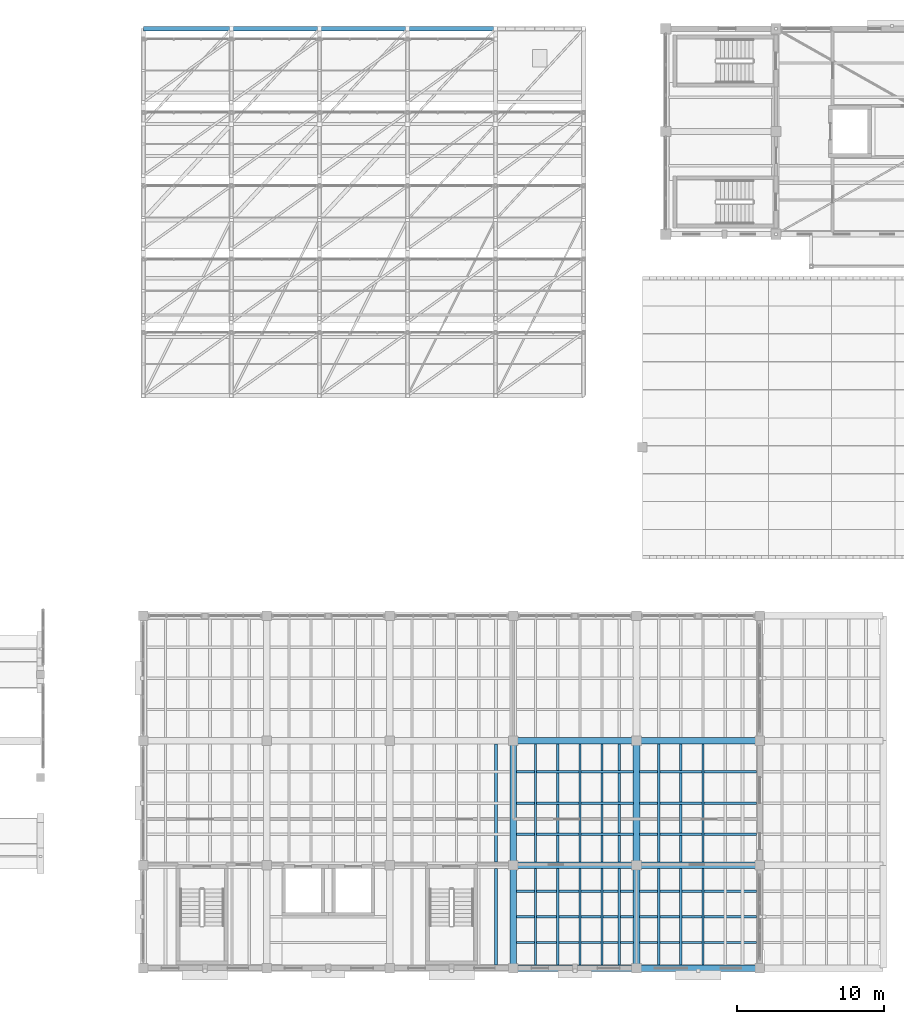
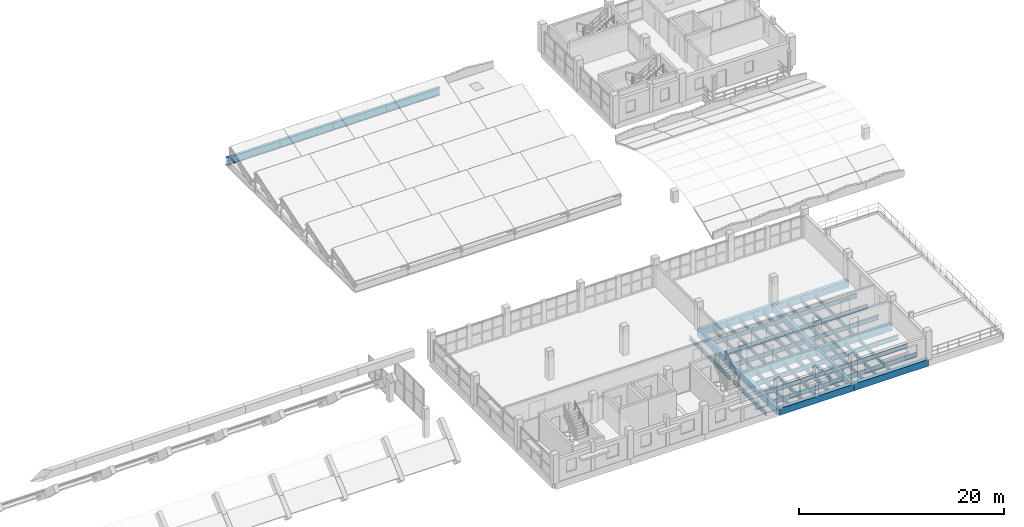
# One storey, part 16 of 48: 44 beams.
"""IFC4 building model written with IfcOpenShell, lengths in metres."""

from ifc_helpers import new_model, si_unit, direction, frame, origin, origin_2d, place, context, subcontext, project, spatial, rectangle, i_section, extrude, material, material_profile, profile_set, type_object, element, save


model = new_model("IFC4")

# Units and contexts
model_context = context("Model", 3, precision=1e-05, world=origin(), true_north=direction((0.0, 1.0)))
body_context = subcontext(model_context, "Body", "Model", "MODEL_VIEW")
ifc_project = project(units=[si_unit("LENGTHUNIT", "METRE"), si_unit("AREAUNIT", "SQUARE_METRE"), si_unit("VOLUMEUNIT", "CUBIC_METRE"), si_unit("PLANEANGLEUNIT", "RADIAN"), si_unit("MASSUNIT", "GRAM", prefix="KILO")], contexts=[model_context])

# Site, building, storey
site_placement = place(None, origin())
site = spatial("IfcSite", under=ifc_project, at=site_placement, CompositionType="ELEMENT")
building_placement = place(site_placement, origin())
building = spatial("IfcBuilding", under=site, at=building_placement, Name="Trellovar Central Fire Station", CompositionType="ELEMENT")
storey_placement = place(building_placement, frame((0.0, 0.0, 9.300048828125)))
storey = spatial("IfcBuildingStorey", under=building, at=storey_placement, Name="L03", CompositionType="ELEMENT", Elevation=9.300048828125)

# Beams
ifc_material_1 = material(Name="Concrete C40/50", Category="concrete")
ifc_material_profile_1 = material_profile(ifc_material_1, rectangle(XDim=0.449951171875, YDim=0.800048828125, at=origin_2d()), Name="RC450X800")
ifc_profile_set_1 = profile_set([ifc_material_profile_1], Name="Concrete C40/50")
beam_type_1 = type_object("IfcBeamType", Name="BM-G1", PredefinedType="BEAM", material=ifc_profile_set_1)
beam_1_placement = place(storey_placement, frame((130.699951171875, 9.0, -0.400146484375), z_axis=(1.0, 0.0, 0.0), x_axis=(0.0, 1.0, 0.0)))
element("IfcBeam", 1, at=beam_1_placement, inside=storey, type_object=beam_type_1, Name="L03 beam G-1", PredefinedType="BEAM", context=body_context, shape_type="SweptSolid", body=[
    extrude(rectangle(XDim=0.449951171875, YDim=0.800048828125, at=origin_2d()), origin(), (0.0, 0.0, 1.0), 8.400146484375),
])
beam_2_placement = place(storey_placement, frame((139.10009765625, 9.0, -0.400146484375), z_axis=(1.0, 0.0, 0.0), x_axis=(0.0, 1.0, 0.0)))
element("IfcBeam", 2, at=beam_2_placement, inside=storey, type_object=beam_type_1, Name="L03 beam G-1", PredefinedType="BEAM", context=body_context, shape_type="SweptSolid", body=[
    extrude(rectangle(XDim=0.449951171875, YDim=0.800048828125, at=origin_2d()), origin(), (0.0, 0.0, 1.0), 8.39990234375),
])
beam_3_placement = place(storey_placement, frame((130.699951171875, 16.0, -0.400146484375), z_axis=(1.0, 0.0, 0.0), x_axis=(0.0, 1.0, 0.0)))
element("IfcBeam", 3, at=beam_3_placement, inside=storey, type_object=beam_type_1, Name="L03 beam G-1", PredefinedType="BEAM", context=body_context, shape_type="SweptSolid", body=[
    extrude(rectangle(XDim=0.449951171875, YDim=0.800048828125, at=origin_2d()), origin(), (0.0, 0.0, 1.0), 8.400146484375),
])
beam_4_placement = place(storey_placement, frame((139.10009765625, 16.0, -0.400146484375), z_axis=(1.0, 0.0, 0.0), x_axis=(0.0, 1.0, 0.0)))
element("IfcBeam", 4, at=beam_4_placement, inside=storey, type_object=beam_type_1, Name="L03 beam G-1", PredefinedType="BEAM", context=body_context, shape_type="SweptSolid", body=[
    extrude(rectangle(XDim=0.449951171875, YDim=0.800048828125, at=origin_2d()), origin(), (0.0, 0.0, 1.0), 8.39990234375),
])
beam_5_placement = place(storey_placement, frame((130.699951171875, 24.5, -0.400146484375), z_axis=(1.0, 0.0, 0.0), x_axis=(0.0, 1.0, 0.0)))
element("IfcBeam", 5, at=beam_5_placement, inside=storey, type_object=beam_type_1, Name="L03 beam G-1", PredefinedType="BEAM", context=body_context, shape_type="SweptSolid", body=[
    extrude(rectangle(XDim=0.449951171875, YDim=0.800048828125, at=origin_2d()), origin(), (0.0, 0.0, 1.0), 8.400146484375),
])
beam_6_placement = place(storey_placement, frame((139.10009765625, 24.5, -0.400146484375), z_axis=(1.0, 0.0, 0.0), x_axis=(0.0, 1.0, 0.0)))
element("IfcBeam", 6, at=beam_6_placement, inside=storey, type_object=beam_type_1, Name="L03 beam G-1", PredefinedType="BEAM", context=body_context, shape_type="SweptSolid", body=[
    extrude(rectangle(XDim=0.449951171875, YDim=0.800048828125, at=origin_2d()), origin(), (0.0, 0.0, 1.0), 8.39990234375),
])
ifc_material_2 = material(Name="Concrete C40/50", Category="concrete")
ifc_material_profile_2 = material_profile(ifc_material_2, rectangle(XDim=0.449951171875, YDim=0.75, at=origin_2d()), Name="RC450X750")
ifc_profile_set_2 = profile_set([ifc_material_profile_2], Name="Concrete C40/50")
beam_type_2 = type_object("IfcBeamType", Name="BM-G2", PredefinedType="BEAM", material=ifc_profile_set_2)
beam_7_placement = place(storey_placement, frame((130.699951171875, 9.0, -0.375), z_axis=(0.0, 1.0, 0.0), x_axis=(-1.0, 0.0, 0.0)))
element("IfcBeam", 7, at=beam_7_placement, inside=storey, type_object=beam_type_2, Name="L03 beam G-2", PredefinedType="BEAM", context=body_context, shape_type="SweptSolid", body=[
    extrude(rectangle(XDim=0.449951171875, YDim=0.75, at=origin_2d()), origin(), (0.0, 0.0, 1.0), 7.0),
])
beam_8_placement = place(storey_placement, frame((130.699951171875, 16.0, -0.375), z_axis=(0.0, 1.0, 0.0), x_axis=(-1.0, 0.0, 0.0)))
element("IfcBeam", 8, at=beam_8_placement, inside=storey, type_object=beam_type_2, Name="L03 beam G-2", PredefinedType="BEAM", context=body_context, shape_type="SweptSolid", body=[
    extrude(rectangle(XDim=0.449951171875, YDim=0.75, at=origin_2d()), origin(), (0.0, 0.0, 1.0), 8.5),
])
beam_9_placement = place(storey_placement, frame((139.10009765625, 9.0, -0.375), z_axis=(0.0, 1.0, 0.0), x_axis=(-1.0, 0.0, 0.0)))
element("IfcBeam", 9, at=beam_9_placement, inside=storey, type_object=beam_type_2, Name="L03 beam G-2", PredefinedType="BEAM", context=body_context, shape_type="SweptSolid", body=[
    extrude(rectangle(XDim=0.449951171875, YDim=0.75, at=origin_2d()), origin(), (0.0, 0.0, 1.0), 7.0),
])
beam_10_placement = place(storey_placement, frame((139.10009765625, 16.0, -0.375), z_axis=(0.0, 1.0, 0.0), x_axis=(-1.0, 0.0, 0.0)))
element("IfcBeam", 10, at=beam_10_placement, inside=storey, type_object=beam_type_2, Name="L03 beam G-2", PredefinedType="BEAM", context=body_context, shape_type="SweptSolid", body=[
    extrude(rectangle(XDim=0.449951171875, YDim=0.75, at=origin_2d()), origin(), (0.0, 0.0, 1.0), 8.5),
])
ifc_material_3 = material(Name="Steel ASTM A992 Grade 50", Category="steel")
ifc_material_profile_3 = material_profile(ifc_material_3, i_section(OverallWidth=0.3046875, OverallDepth=0.911865234375, WebThickness=0.015869140625, FlangeThickness=0.02392578125, FilletRadius=0.024169921875, at=origin_2d()), Name="W36X150")
ifc_profile_set_3 = profile_set([ifc_material_profile_3], Name="Steel ASTM A992 Grade 50")
beam_type_3 = type_object("IfcBeamType", Name="BM-SW1", PredefinedType="BEAM", material=ifc_profile_set_3)
for number, where, z_axis, x_axis, name in (
    (11, (105.5, 73.0, -0.635986328125), (1.0, 0.0, 0.0), (0.0, 1.0, 0.0), "L03 beam SB-1"),
    (12, (111.5, 73.0, -0.635986328125), (1.0, 0.0, 0.0), (0.0, 1.0, 0.0), "L03 beam SB-1"),
    (13, (117.5, 73.0, -0.635986328125), (1.0, 0.0, 0.0), (0.0, 1.0, 0.0), "L03 beam SB-1"),
    (14, (123.5, 73.0, -0.635986328125), (1.0, 0.0, 0.0), (0.0, 1.0, 0.0), "L03 beam SB-1"),
):
    element("IfcBeam", number, at=place(storey_placement, frame(where, z_axis=z_axis, x_axis=x_axis)), inside=storey, type_object=beam_type_3, Name=name, PredefinedType="BEAM", context=body_context, shape_type="SweptSolid", body=[
        extrude(i_section(OverallWidth=0.3046875, OverallDepth=0.911865234375, WebThickness=0.015869140625, FlangeThickness=0.02392578125, FilletRadius=0.024169921875, at=origin_2d()), origin(), (0.0, 0.0, 1.0), 6.0),
    ])
ifc_material_4 = material(Name="Steel ASTM A992 Grade 50", Category="steel")
ifc_material_profile_4 = material_profile(ifc_material_4, i_section(OverallWidth=0.15283203125, OverallDepth=0.45458984375, WebThickness=0.008056640625, FlangeThickness=0.01318359375, FilletRadius=0.0126953125, at=origin_2d()), Name="W18X40")
ifc_profile_set_4 = profile_set([ifc_material_profile_4], Name="Steel ASTM A992 Grade 50")
beam_type_4 = type_object("IfcBeamType", Name="BM-SW10", PredefinedType="JOIST", material=ifc_profile_set_4)
beam_11_placement = place(storey_placement, frame((132.2119140625, 9.219970703125, -0.487548828125), z_axis=(0.0, 1.0, 0.0), x_axis=(-1.0, 0.0, 0.0)))
element("IfcBeam", 15, at=beam_11_placement, inside=storey, type_object=beam_type_4, Name="L03 secondary steel deck joist", PredefinedType="JOIST", context=body_context, shape_type="SweptSolid", body=[
    extrude(i_section(OverallWidth=0.15283203125, OverallDepth=0.45458984375, WebThickness=0.008056640625, FlangeThickness=0.01318359375, FilletRadius=0.0126953125, at=origin_2d()), origin(), (0.0, 0.0, 1.0), 6.56005859375),
])
beam_12_placement = place(storey_placement, frame((132.2119140625, 16.219970703125, -0.487548828125), z_axis=(0.0, 1.0, 0.0), x_axis=(-1.0, 0.0, 0.0)))
element("IfcBeam", 16, at=beam_12_placement, inside=storey, type_object=beam_type_4, Name="L03 secondary steel deck joist", PredefinedType="JOIST", context=body_context, shape_type="SweptSolid", body=[
    extrude(i_section(OverallWidth=0.15283203125, OverallDepth=0.45458984375, WebThickness=0.008056640625, FlangeThickness=0.01318359375, FilletRadius=0.0126953125, at=origin_2d()), origin(), (0.0, 0.0, 1.0), 8.06005859375),
])
beam_13_placement = place(storey_placement, frame((140.612060546875, 9.219970703125, -0.487548828125), z_axis=(0.0, 1.0, 0.0), x_axis=(-1.0, 0.0, 0.0)))
element("IfcBeam", 17, at=beam_13_placement, inside=storey, type_object=beam_type_4, Name="L03 secondary steel deck joist", PredefinedType="JOIST", context=body_context, shape_type="SweptSolid", body=[
    extrude(i_section(OverallWidth=0.15283203125, OverallDepth=0.45458984375, WebThickness=0.008056640625, FlangeThickness=0.01318359375, FilletRadius=0.0126953125, at=origin_2d()), origin(), (0.0, 0.0, 1.0), 6.56005859375),
])
beam_14_placement = place(storey_placement, frame((140.612060546875, 16.219970703125, -0.487548828125), z_axis=(0.0, 1.0, 0.0), x_axis=(-1.0, 0.0, 0.0)))
element("IfcBeam", 18, at=beam_14_placement, inside=storey, type_object=beam_type_4, Name="L03 secondary steel deck joist", PredefinedType="JOIST", context=body_context, shape_type="SweptSolid", body=[
    extrude(i_section(OverallWidth=0.15283203125, OverallDepth=0.45458984375, WebThickness=0.008056640625, FlangeThickness=0.01318359375, FilletRadius=0.0126953125, at=origin_2d()), origin(), (0.0, 0.0, 1.0), 8.06005859375),
])
ifc_material_5 = material(Name="Steel ASTM A992 Grade 50", Category="steel")
ifc_material_profile_5 = material_profile(ifc_material_5, i_section(OverallWidth=0.177490234375, OverallDepth=0.40380859375, WebThickness=0.007568359375, FlangeThickness=0.010986328125, FilletRadius=0.011474609375, at=origin_2d()), Name="W16X36")
ifc_profile_set_5 = profile_set([ifc_material_profile_5], Name="Steel ASTM A992 Grade 50")
beam_type_5 = type_object("IfcBeamType", Name="BM-SW11", PredefinedType="JOIST", material=ifc_profile_set_5)
beam_15_placement = place(storey_placement, frame((133.72412109375, 9.219970703125, -0.462158203125), z_axis=(0.0, 1.0, 0.0), x_axis=(-1.0, 0.0, 0.0)))
element("IfcBeam", 19, at=beam_15_placement, inside=storey, type_object=beam_type_5, Name="L03 secondary steel deck joist", PredefinedType="JOIST", context=body_context, shape_type="SweptSolid", body=[
    extrude(i_section(OverallWidth=0.177490234375, OverallDepth=0.40380859375, WebThickness=0.007568359375, FlangeThickness=0.010986328125, FilletRadius=0.011474609375, at=origin_2d()), origin(), (0.0, 0.0, 1.0), 6.56005859375),
])
beam_16_placement = place(storey_placement, frame((133.72412109375, 16.219970703125, -0.462158203125), z_axis=(0.0, 1.0, 0.0), x_axis=(-1.0, 0.0, 0.0)))
element("IfcBeam", 20, at=beam_16_placement, inside=storey, type_object=beam_type_5, Name="L03 secondary steel deck joist", PredefinedType="JOIST", context=body_context, shape_type="SweptSolid", body=[
    extrude(i_section(OverallWidth=0.177490234375, OverallDepth=0.40380859375, WebThickness=0.007568359375, FlangeThickness=0.010986328125, FilletRadius=0.011474609375, at=origin_2d()), origin(), (0.0, 0.0, 1.0), 8.06005859375),
])
beam_17_placement = place(storey_placement, frame((142.1240234375, 9.219970703125, -0.462158203125), z_axis=(0.0, 1.0, 0.0), x_axis=(-1.0, 0.0, 0.0)))
element("IfcBeam", 21, at=beam_17_placement, inside=storey, type_object=beam_type_5, Name="L03 secondary steel deck joist", PredefinedType="JOIST", context=body_context, shape_type="SweptSolid", body=[
    extrude(i_section(OverallWidth=0.177490234375, OverallDepth=0.40380859375, WebThickness=0.007568359375, FlangeThickness=0.010986328125, FilletRadius=0.011474609375, at=origin_2d()), origin(), (0.0, 0.0, 1.0), 6.56005859375),
])
beam_18_placement = place(storey_placement, frame((142.1240234375, 16.219970703125, -0.462158203125), z_axis=(0.0, 1.0, 0.0), x_axis=(-1.0, 0.0, 0.0)))
element("IfcBeam", 22, at=beam_18_placement, inside=storey, type_object=beam_type_5, Name="L03 secondary steel deck joist", PredefinedType="JOIST", context=body_context, shape_type="SweptSolid", body=[
    extrude(i_section(OverallWidth=0.177490234375, OverallDepth=0.40380859375, WebThickness=0.007568359375, FlangeThickness=0.010986328125, FilletRadius=0.011474609375, at=origin_2d()), origin(), (0.0, 0.0, 1.0), 8.06005859375),
])
ifc_material_6 = material(Name="Steel ASTM A992 Grade 50", Category="steel")
ifc_material_profile_6 = material_profile(ifc_material_6, i_section(OverallWidth=0.140380859375, OverallDepth=0.4033203125, WebThickness=0.007080078125, FlangeThickness=0.01123046875, FilletRadius=0.011474609375, at=origin_2d()), Name="W16X31")
ifc_profile_set_6 = profile_set([ifc_material_profile_6], Name="Steel ASTM A992 Grade 50")
beam_type_6 = type_object("IfcBeamType", Name="BM-SW12", PredefinedType="JOIST", material=ifc_profile_set_6)
beam_19_placement = place(storey_placement, frame((135.236083984375, 9.219970703125, -0.461669921875), z_axis=(0.0, 1.0, 0.0), x_axis=(-1.0, 0.0, 0.0)))
element("IfcBeam", 23, at=beam_19_placement, inside=storey, type_object=beam_type_6, Name="L03 secondary steel deck joist", PredefinedType="JOIST", context=body_context, shape_type="SweptSolid", body=[
    extrude(i_section(OverallWidth=0.140380859375, OverallDepth=0.4033203125, WebThickness=0.007080078125, FlangeThickness=0.01123046875, FilletRadius=0.011474609375, at=origin_2d()), origin(), (0.0, 0.0, 1.0), 6.56005859375),
])
beam_20_placement = place(storey_placement, frame((135.236083984375, 16.219970703125, -0.461669921875), z_axis=(0.0, 1.0, 0.0), x_axis=(-1.0, 0.0, 0.0)))
element("IfcBeam", 24, at=beam_20_placement, inside=storey, type_object=beam_type_6, Name="L03 secondary steel deck joist", PredefinedType="JOIST", context=body_context, shape_type="SweptSolid", body=[
    extrude(i_section(OverallWidth=0.140380859375, OverallDepth=0.4033203125, WebThickness=0.007080078125, FlangeThickness=0.01123046875, FilletRadius=0.011474609375, at=origin_2d()), origin(), (0.0, 0.0, 1.0), 8.06005859375),
])
beam_21_placement = place(storey_placement, frame((143.635986328125, 9.219970703125, -0.461669921875), z_axis=(0.0, 1.0, 0.0), x_axis=(-1.0, 0.0, 0.0)))
element("IfcBeam", 25, at=beam_21_placement, inside=storey, type_object=beam_type_6, Name="L03 secondary steel deck joist", PredefinedType="JOIST", context=body_context, shape_type="SweptSolid", body=[
    extrude(i_section(OverallWidth=0.140380859375, OverallDepth=0.4033203125, WebThickness=0.007080078125, FlangeThickness=0.01123046875, FilletRadius=0.011474609375, at=origin_2d()), origin(), (0.0, 0.0, 1.0), 6.56005859375),
])
beam_22_placement = place(storey_placement, frame((143.635986328125, 16.219970703125, -0.461669921875), z_axis=(0.0, 1.0, 0.0), x_axis=(-1.0, 0.0, 0.0)))
element("IfcBeam", 26, at=beam_22_placement, inside=storey, type_object=beam_type_6, Name="L03 secondary steel deck joist", PredefinedType="JOIST", context=body_context, shape_type="SweptSolid", body=[
    extrude(i_section(OverallWidth=0.140380859375, OverallDepth=0.4033203125, WebThickness=0.007080078125, FlangeThickness=0.01123046875, FilletRadius=0.011474609375, at=origin_2d()), origin(), (0.0, 0.0, 1.0), 8.06005859375),
])
ifc_material_7 = material(Name="Steel ASTM A992 Grade 50", Category="steel")
ifc_material_profile_7 = material_profile(ifc_material_7, i_section(OverallWidth=0.166015625, OverallDepth=0.529052734375, WebThickness=0.009765625, FlangeThickness=0.013671875, FilletRadius=0.013916015625, at=origin_2d()), Name="W21X50")
ifc_profile_set_7 = profile_set([ifc_material_profile_7], Name="Steel ASTM A992 Grade 50")
beam_type_7 = type_object("IfcBeamType", Name="BM-SW8", PredefinedType="JOIST", material=ifc_profile_set_7)
for number, where, z_axis, x_axis, name in (
    (27, (130.919921875, 10.75, -0.524658203125), (1.0, 0.0, 0.0), (0.0, 1.0, 0.0), "L03 beam SB-8"),
    (28, (130.919921875, 12.5, -0.524658203125), (1.0, 0.0, 0.0), (0.0, 1.0, 0.0), "L03 beam SB-8"),
    (29, (130.919921875, 14.25, -0.524658203125), (1.0, 0.0, 0.0), (0.0, 1.0, 0.0), "L03 beam SB-8"),
    (30, (130.919921875, 18.125, -0.524658203125), (1.0, 0.0, 0.0), (0.0, 1.0, 0.0), "L03 beam SB-8"),
    (31, (130.919921875, 20.25, -0.524658203125), (1.0, 0.0, 0.0), (0.0, 1.0, 0.0), "L03 beam SB-8"),
    (32, (130.919921875, 22.375, -0.524658203125), (1.0, 0.0, 0.0), (0.0, 1.0, 0.0), "L03 beam SB-8"),
    (33, (139.320068359375, 10.75, -0.524658203125), (1.0, 0.0, 0.0), (0.0, 1.0, 0.0), "L03 beam SB-8"),
    (34, (139.320068359375, 12.5, -0.524658203125), (1.0, 0.0, 0.0), (0.0, 1.0, 0.0), "L03 beam SB-8"),
    (35, (139.320068359375, 14.25, -0.524658203125), (1.0, 0.0, 0.0), (0.0, 1.0, 0.0), "L03 beam SB-8"),
    (36, (139.320068359375, 18.125, -0.524658203125), (1.0, 0.0, 0.0), (0.0, 1.0, 0.0), "L03 beam SB-8"),
    (37, (139.320068359375, 20.25, -0.524658203125), (1.0, 0.0, 0.0), (0.0, 1.0, 0.0), "L03 beam SB-8"),
    (38, (139.320068359375, 22.375, -0.524658203125), (1.0, 0.0, 0.0), (0.0, 1.0, 0.0), "L03 beam SB-8"),
):
    element("IfcBeam", number, at=place(storey_placement, frame(where, z_axis=z_axis, x_axis=x_axis)), inside=storey, type_object=beam_type_7, Name=name, PredefinedType="JOIST", context=body_context, shape_type="SweptSolid", body=[
        extrude(i_section(OverallWidth=0.166015625, OverallDepth=0.529052734375, WebThickness=0.009765625, FlangeThickness=0.013671875, FilletRadius=0.013916015625, at=origin_2d()), origin(), (0.0, 0.0, 1.0), 7.9599609375),
    ])
beam_23_placement = place(storey_placement, frame((136.748046875, 9.219970703125, -0.524658203125), z_axis=(0.0, 1.0, 0.0), x_axis=(-1.0, 0.0, 0.0)))
element("IfcBeam", 39, at=beam_23_placement, inside=storey, type_object=beam_type_7, Name="L03 secondary steel deck joist", PredefinedType="JOIST", context=body_context, shape_type="SweptSolid", body=[
    extrude(i_section(OverallWidth=0.166015625, OverallDepth=0.529052734375, WebThickness=0.009765625, FlangeThickness=0.013671875, FilletRadius=0.013916015625, at=origin_2d()), origin(), (0.0, 0.0, 1.0), 6.56005859375),
])
beam_24_placement = place(storey_placement, frame((136.748046875, 16.219970703125, -0.524658203125), z_axis=(0.0, 1.0, 0.0), x_axis=(-1.0, 0.0, 0.0)))
element("IfcBeam", 40, at=beam_24_placement, inside=storey, type_object=beam_type_7, Name="L03 secondary steel deck joist", PredefinedType="JOIST", context=body_context, shape_type="SweptSolid", body=[
    extrude(i_section(OverallWidth=0.166015625, OverallDepth=0.529052734375, WebThickness=0.009765625, FlangeThickness=0.013671875, FilletRadius=0.013916015625, at=origin_2d()), origin(), (0.0, 0.0, 1.0), 8.06005859375),
])
ifc_material_8 = material(Name="Steel ASTM A992 Grade 50", Category="steel")
ifc_material_profile_8 = material_profile(ifc_material_8, i_section(OverallWidth=0.1904296875, OverallDepth=0.457275390625, WebThickness=0.009033203125, FlangeThickness=0.014404296875, FilletRadius=0.0126953125, at=origin_2d()), Name="W18X50")
ifc_profile_set_8 = profile_set([ifc_material_profile_8], Name="Steel ASTM A992 Grade 50")
beam_type_8 = type_object("IfcBeamType", Name="BM-SW9", PredefinedType="JOIST", material=ifc_profile_set_8)
beam_25_placement = place(storey_placement, frame((129.52392578125, 9.219970703125, -0.48876953125), z_axis=(0.0, 1.0, 0.0), x_axis=(-1.0, 0.0, 0.0)))
element("IfcBeam", 41, at=beam_25_placement, inside=storey, type_object=beam_type_8, Name="L03 secondary steel deck joist", PredefinedType="JOIST", context=body_context, shape_type="SweptSolid", body=[
    extrude(i_section(OverallWidth=0.1904296875, OverallDepth=0.457275390625, WebThickness=0.009033203125, FlangeThickness=0.014404296875, FilletRadius=0.0126953125, at=origin_2d()), origin(), (0.0, 0.0, 1.0), 6.56005859375),
])
beam_26_placement = place(storey_placement, frame((129.52392578125, 16.219970703125, -0.48876953125), z_axis=(0.0, 1.0, 0.0), x_axis=(-1.0, 0.0, 0.0)))
element("IfcBeam", 42, at=beam_26_placement, inside=storey, type_object=beam_type_8, Name="L03 secondary steel deck joist", PredefinedType="JOIST", context=body_context, shape_type="SweptSolid", body=[
    extrude(i_section(OverallWidth=0.1904296875, OverallDepth=0.457275390625, WebThickness=0.009033203125, FlangeThickness=0.014404296875, FilletRadius=0.0126953125, at=origin_2d()), origin(), (0.0, 0.0, 1.0), 8.06005859375),
])
beam_27_placement = place(storey_placement, frame((137.924072265625, 9.219970703125, -0.48876953125), z_axis=(0.0, 1.0, 0.0), x_axis=(-1.0, 0.0, 0.0)))
element("IfcBeam", 43, at=beam_27_placement, inside=storey, type_object=beam_type_8, Name="L03 secondary steel deck joist", PredefinedType="JOIST", context=body_context, shape_type="SweptSolid", body=[
    extrude(i_section(OverallWidth=0.1904296875, OverallDepth=0.457275390625, WebThickness=0.009033203125, FlangeThickness=0.014404296875, FilletRadius=0.0126953125, at=origin_2d()), origin(), (0.0, 0.0, 1.0), 6.56005859375),
])
beam_28_placement = place(storey_placement, frame((137.924072265625, 16.219970703125, -0.48876953125), z_axis=(0.0, 1.0, 0.0), x_axis=(-1.0, 0.0, 0.0)))
element("IfcBeam", 44, at=beam_28_placement, inside=storey, type_object=beam_type_8, Name="L03 secondary steel deck joist", PredefinedType="JOIST", context=body_context, shape_type="SweptSolid", body=[
    extrude(i_section(OverallWidth=0.1904296875, OverallDepth=0.457275390625, WebThickness=0.009033203125, FlangeThickness=0.014404296875, FilletRadius=0.0126953125, at=origin_2d()), origin(), (0.0, 0.0, 1.0), 8.06005859375),
])

save(model, "model.ifc")
